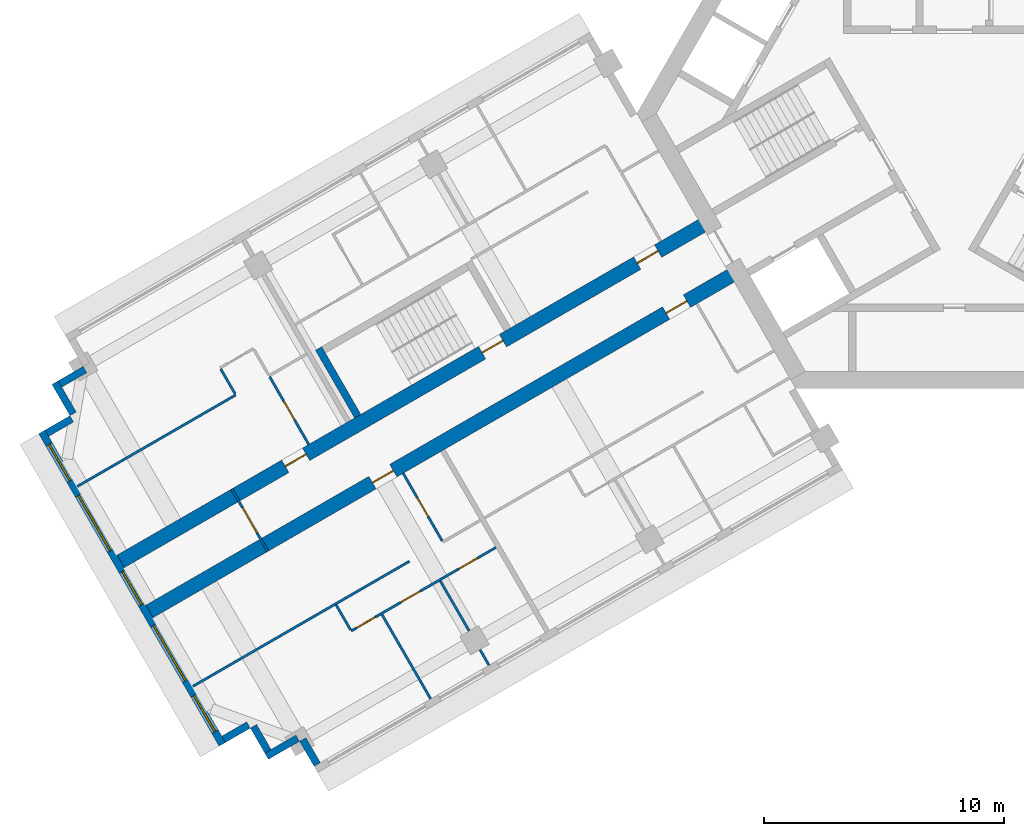
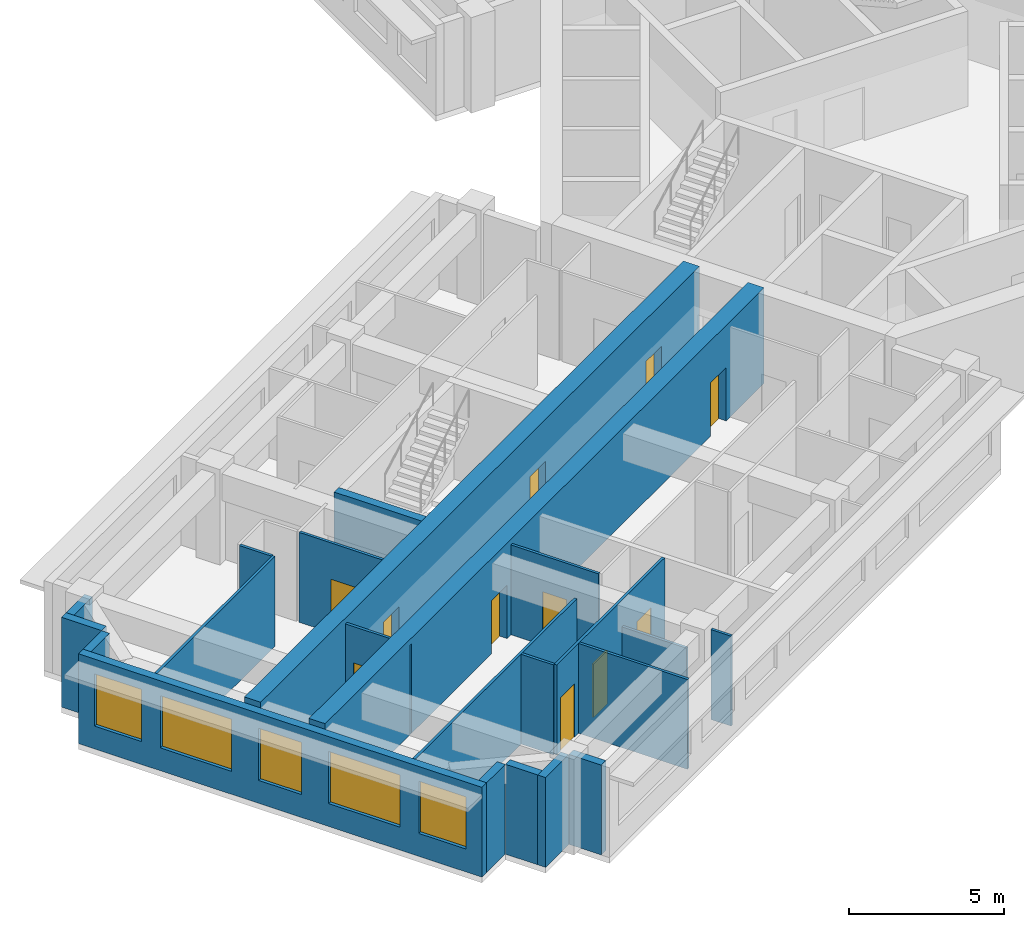
# One storey, part 2 of 11: 22 walls, 11 doors, 5 windows, 16 openings.
"""IFC4 building model written with IfcOpenShell, lengths in metres."""

from ifc_helpers import new_model, si_unit, direction, frame, frame_2d, origin, place, context, subcontext, project, spatial, rectangle, extrude, material, layer, layer_set, type_object, element, fill, save


model = new_model("IFC4")

# Units and contexts
model_context = context("Model", 3, precision=1e-05, world=origin(), true_north=direction((0.0, 1.0)))
body_context = subcontext(model_context, "Body", "Model", "MODEL_VIEW")
ifc_project = project(units=[si_unit("LENGTHUNIT", "METRE"), si_unit("AREAUNIT", "SQUARE_METRE"), si_unit("VOLUMEUNIT", "CUBIC_METRE"), si_unit("PLANEANGLEUNIT", "RADIAN"), si_unit("MASSUNIT", "GRAM", prefix="KILO")], contexts=[model_context])

# Site, building, storey
site_placement = place(None, origin())
site = spatial("IfcSite", under=ifc_project, at=site_placement, CompositionType="ELEMENT")
building_placement = place(site_placement, origin())
building = spatial("IfcBuilding", under=site, at=building_placement, Name="Impinga Residences", CompositionType="ELEMENT")
storey_placement = place(building_placement, frame((0.0, 0.0, 203.5)))
storey = spatial("IfcBuildingStorey", under=building, at=storey_placement, Name="L50", CompositionType="ELEMENT", Elevation=203.5)

# Wall, openings, doors
ifc_material_1 = material(Name="Concrete C60/75", Category="concrete")
ifc_layer_1 = layer(ifc_material_1, 0.60009765625)
ifc_layer_set_1 = layer_set([ifc_layer_1], Name="Concrete C60/75")
wall_type_1 = type_object("IfcWallType", Name="BW3 corridor buttress wall, L46 to L73 600", PredefinedType="SHEAR", material=ifc_layer_set_1)
wall_1_placement = place(storey_placement, frame((-8.996826171875, -6.580078125, 0.0), z_axis=(0.0, 0.0, 1.0), x_axis=(-0.866026415941, -0.499998246889, 0.0)))
wall_1 = element("IfcWall", 1, at=wall_1_placement, inside=storey, type_object=wall_type_1, Name="Corridor wall BW3 WC L50", PredefinedType="SHEAR", context=body_context, shape_type="SweptSolid", body=[
    extrude(rectangle(XDim=28.25, YDim=0.60009765625, at=frame_2d((14.125, 0.0))), origin(), (0.0, 0.0, 1.0), 3.75),
])
opening_1_placement = place(wall_1_placement, frame((2.449951171875, 0.0, 0.0)))
opening_1 = element("IfcOpeningElement", 2, at=opening_1_placement, cuts=wall_1, Name="Opening D1", PredefinedType="OPENING", context=body_context, shape_type="SweptSolid", body=[
    extrude(rectangle(XDim=1.0, YDim=2.10009765625, at=frame_2d((0.5, 1.050048828125))), frame((0.0, 0.31005859375, 0.0), z_axis=(0.0, -1.0, 0.0), x_axis=(1.0, 0.0, 0.0)), (0.0, 0.0, 1.0), 0.6201171875),
])
opening_2_placement = place(wall_1_placement, frame((16.550048828125, 0.0, 0.0)))
opening_2 = element("IfcOpeningElement", 3, at=opening_2_placement, cuts=wall_1, Name="Opening D1", PredefinedType="OPENING", context=body_context, shape_type="SweptSolid", body=[
    extrude(rectangle(XDim=1.0, YDim=2.10009765625, at=frame_2d((0.5, 1.050048828125))), frame((0.0, 0.31005859375, 0.0), z_axis=(0.0, -1.0, 0.0), x_axis=(1.0, 0.0, 0.0)), (0.0, 0.0, 1.0), 0.6201171875),
])
ifc_material_2 = material(Name="Timber door set", Category="wood")
door_type_1 = type_object("IfcDoorType", Name="D1 apartment entrance door 1000x2100", OperationType="SINGLE_SWING_LEFT", PredefinedType="DOOR", material=ifc_material_2)
door_1_placement = place(opening_1_placement, origin())
door_1 = element("IfcDoor", 4, at=door_1_placement, inside=storey, type_object=door_type_1, Name="Apartment L50-WA1 entrance", OperationType="SINGLE_SWING_LEFT", OverallHeight=2.10009765625, OverallWidth=1.0, PredefinedType="DOOR", context=body_context, shape_type="SweptSolid", body=[
    extrude(rectangle(XDim=1.0, YDim=2.10009765625, at=frame_2d((0.5, 1.050048828125))), frame((0.0, 0.02490234375, 0.0), z_axis=(0.0, -1.0, 0.0), x_axis=(1.0, 0.0, 0.0)), (0.0, 0.0, 1.0), 0.050048828125),
])
fill(opening_1, door_1)
door_2_placement = place(opening_2_placement, origin())
door_2 = element("IfcDoor", 5, at=door_2_placement, inside=storey, type_object=door_type_1, Name="Apartment L50-WA2 entrance", OperationType="SINGLE_SWING_RIGHT", OverallHeight=2.10009765625, OverallWidth=1.0, PredefinedType="DOOR", context=body_context, shape_type="SweptSolid", body=[
    extrude(rectangle(XDim=1.0, YDim=2.10009765625, at=frame_2d((0.5, 1.050048828125))), frame((0.0, 0.02490234375, 0.0), z_axis=(0.0, -1.0, 0.0), x_axis=(1.0, 0.0, 0.0)), (0.0, 0.0, 1.0), 0.050048828125),
])
fill(opening_2, door_2)

wall_2_placement = place(storey_placement, frame((-10.19677734375, -4.50146484375, 0.0), z_axis=(0.0, 0.0, 1.0), x_axis=(-0.866026415941, -0.499998246889, 0.0)))
wall_2 = element("IfcWall", 6, at=wall_2_placement, inside=storey, type_object=wall_type_1, Name="Corridor wall BW3 WD L50", PredefinedType="SHEAR", context=body_context, shape_type="SweptSolid", body=[
    extrude(rectangle(XDim=28.25, YDim=0.60009765625, at=frame_2d((14.125, 0.0))), origin(), (0.0, 0.0, 1.0), 3.75),
])
opening_3_placement = place(wall_2_placement, frame((9.89990234375, 0.0, 0.0)))
opening_3 = element("IfcOpeningElement", 7, at=opening_3_placement, cuts=wall_2, Name="Opening D5", PredefinedType="OPENING", context=body_context, shape_type="SweptSolid", body=[
    extrude(rectangle(XDim=1.0, YDim=2.10009765625, at=frame_2d((0.5, 1.050048828125))), frame((0.0, 0.31005859375, 0.0), z_axis=(0.0, -1.0, 0.0), x_axis=(1.0, 0.0, 0.0)), (0.0, 0.0, 1.0), 0.6201171875),
])
opening_4_placement = place(wall_2_placement, frame((2.449951171875, 0.0, 0.0)))
opening_4 = element("IfcOpeningElement", 8, at=opening_4_placement, cuts=wall_2, Name="Opening D1", PredefinedType="OPENING", context=body_context, shape_type="SweptSolid", body=[
    extrude(rectangle(XDim=1.0, YDim=2.10009765625, at=frame_2d((0.5, 1.050048828125))), frame((0.0, 0.31005859375, 0.0), z_axis=(0.0, -1.0, 0.0), x_axis=(1.0, 0.0, 0.0)), (0.0, 0.0, 1.0), 0.6201171875),
])
opening_5_placement = place(wall_2_placement, frame((19.35009765625, 0.0, 0.0)))
opening_5 = element("IfcOpeningElement", 9, at=opening_5_placement, cuts=wall_2, Name="Opening D1", PredefinedType="OPENING", context=body_context, shape_type="SweptSolid", body=[
    extrude(rectangle(XDim=1.0, YDim=2.10009765625, at=frame_2d((0.5, 1.050048828125))), frame((0.0, 0.31005859375, 0.0), z_axis=(0.0, -1.0, 0.0), x_axis=(1.0, 0.0, 0.0)), (0.0, 0.0, 1.0), 0.6201171875),
])
door_3_placement = place(opening_4_placement, origin())
door_3 = element("IfcDoor", 10, at=door_3_placement, inside=storey, type_object=door_type_1, Name="Apartment L50-WF1 entrance", OperationType="SINGLE_SWING_LEFT", OverallHeight=2.10009765625, OverallWidth=1.0, PredefinedType="DOOR", context=body_context, shape_type="SweptSolid", body=[
    extrude(rectangle(XDim=1.0, YDim=2.10009765625, at=frame_2d((0.5, 1.050048828125))), frame((0.0, 0.02490234375, 0.0), z_axis=(0.0, -1.0, 0.0), x_axis=(1.0, 0.0, 0.0)), (0.0, 0.0, 1.0), 0.050048828125),
])
fill(opening_4, door_3)
door_4_placement = place(opening_5_placement, origin())
door_4 = element("IfcDoor", 11, at=door_4_placement, inside=storey, type_object=door_type_1, Name="Apartment L50-WF2 entrance", OperationType="SINGLE_SWING_RIGHT", OverallHeight=2.10009765625, OverallWidth=1.0, PredefinedType="DOOR", context=body_context, shape_type="SweptSolid", body=[
    extrude(rectangle(XDim=1.0, YDim=2.10009765625, at=frame_2d((0.5, 1.050048828125))), frame((0.0, 0.02490234375, 0.0), z_axis=(0.0, -1.0, 0.0), x_axis=(1.0, 0.0, 0.0)), (0.0, 0.0, 1.0), 0.050048828125),
])
fill(opening_5, door_4)
door_type_2 = type_object("IfcDoorType", Name="D5 stair door 1000x2100", OperationType="SINGLE_SWING_LEFT", PredefinedType="DOOR", material=ifc_material_2)
door_5_placement = place(opening_3_placement, origin())
door_5 = element("IfcDoor", 12, at=door_5_placement, inside=storey, type_object=door_type_2, Name="Wing stair door W", OperationType="SINGLE_SWING_LEFT", OverallHeight=2.10009765625, OverallWidth=1.0, PredefinedType="DOOR", context=body_context, shape_type="SweptSolid", body=[
    extrude(rectangle(XDim=1.0, YDim=2.10009765625, at=frame_2d((0.5, 1.050048828125))), frame((0.0, 0.02490234375, 0.0), z_axis=(0.0, -1.0, 0.0), x_axis=(1.0, 0.0, 0.0)), (0.0, 0.0, 1.0), 0.050048828125),
])
fill(opening_3, door_5)

# Wall, opening, door
ifc_material_3 = material(Name="Concrete blockwork", Category="masonry")
ifc_layer_2 = layer(ifc_material_3, 0.10009765625)
ifc_layer_set_2 = layer_set([ifc_layer_2], Name="CP1 core room partition, blockwork 100")
wall_type_2 = type_object("IfcWallType", Name="CP1 core room partition, blockwork 100", PredefinedType="PARTITIONING", material=ifc_layer_set_2)
wall_3_placement = place(storey_placement, frame((-28.549072265625, -18.21484375, 0.0), z_axis=(0.0, 0.0, 1.0), x_axis=(-0.499990139034, 0.866031096941, 0.0)))
wall_3 = element("IfcWall", 13, at=wall_3_placement, inside=storey, type_object=wall_type_2, Name="Core room partition, blockwork L50:W:LNG", PredefinedType="PARTITIONING", context=body_context, shape_type="SweptSolid", body=[
    extrude(rectangle(XDim=3.0, YDim=0.10009765625, at=frame_2d((1.5, 0.0))), origin(), (0.0, 0.0, 1.0), 3.530029296875),
])
opening_6_placement = place(wall_3_placement, frame((0.89990234375, 0.0, 0.0)))
opening_6 = element("IfcOpeningElement", 14, at=opening_6_placement, cuts=wall_3, Name="Opening D3", PredefinedType="OPENING", context=body_context, shape_type="SweptSolid", body=[
    extrude(rectangle(XDim=1.199951171875, YDim=2.10009765625, at=frame_2d((0.60009765625, 1.050048828125))), frame((0.0, 0.06005859375, 0.0), z_axis=(0.0, -1.0, 0.0), x_axis=(1.0, 0.0, 0.0)), (0.0, 0.0, 1.0), 0.1201171875),
])
door_type_3 = type_object("IfcDoorType", Name="D3 room door, leaf and a half 1200x2100", OperationType="DOUBLE_SWING_LEFT", PredefinedType="DOOR", material=ifc_material_2)
door_6_placement = place(opening_6_placement, origin())
door_6 = element("IfcDoor", 15, at=door_6_placement, inside=storey, type_object=door_type_3, Name="Residents' lounge door W", OperationType="DOUBLE_SWING_LEFT", OverallHeight=2.10009765625, OverallWidth=1.199951171875, PredefinedType="DOOR", context=body_context, shape_type="SweptSolid", body=[
    extrude(rectangle(XDim=1.199951171875, YDim=2.10009765625, at=frame_2d((0.60009765625, 1.050048828125))), frame((0.0, 0.02490234375, 0.0), z_axis=(0.0, -1.0, 0.0), x_axis=(1.0, 0.0, 0.0)), (0.0, 0.0, 1.0), 0.050048828125),
])
fill(opening_6, door_6)

# Walls
ifc_material_4 = material(Name="Terracotta rainscreen on blockwork", Category="masonry")
ifc_layer_3 = layer(ifc_material_4, 0.300048828125)
ifc_layer_set_3 = layer_set([ifc_layer_3], Name="EW1 external wall, terracotta rainscreen on blockwork 300")
wall_type_3 = type_object("IfcWallType", Name="EW1 external wall, terracotta rainscreen on blockwork 300", PredefinedType="SOLIDWALL", material=ifc_layer_set_3)
wall_4_placement = place(storey_placement, frame((-26.493896484375, -27.07421875, 0.0), z_axis=(0.0, 0.0, 1.0), x_axis=(-0.500033551112, 0.866006032174, 0.0)))
element("IfcWall", 16, at=wall_4_placement, inside=storey, type_object=wall_type_3, Name="External wall EW1 L50", PredefinedType="SOLIDWALL", context=body_context, shape_type="SweptSolid", body=[
    extrude(rectangle(XDim=1.2001953125, YDim=0.300048828125, at=frame_2d((0.60009765625, 0.0))), origin(), (0.0, 0.0, 1.0), 3.530029296875),
])
wall_5_placement = place(storey_placement, frame((-27.30322265625, -25.982666015625, 0.0), z_axis=(0.0, 0.0, 1.0), x_axis=(-0.866074087889, -0.499915667175, 0.0)))
element("IfcWall", 17, at=wall_5_placement, inside=storey, type_object=wall_type_3, Name="External wall EW1 L50", PredefinedType="SOLIDWALL", context=body_context, shape_type="SweptSolid", body=[
    extrude(rectangle(XDim=1.494873046875, YDim=0.300048828125, at=frame_2d((0.74755859375, 0.0))), origin(), (0.0, 0.0, 1.0), 3.530029296875),
])
wall_6_placement = place(storey_placement, frame((-28.54296875, -26.525146484375, 0.0), z_axis=(0.0, 0.0, 1.0), x_axis=(-0.500033551112, 0.866006032174, 0.0)))
element("IfcWall", 18, at=wall_6_placement, inside=storey, type_object=wall_type_3, Name="External wall EW1 L50", PredefinedType="SOLIDWALL", context=body_context, shape_type="SweptSolid", body=[
    extrude(rectangle(XDim=1.2001953125, YDim=0.300048828125, at=frame_2d((0.60009765625, 0.0))), origin(), (0.0, 0.0, 1.0), 3.530029296875),
])
wall_7_placement = place(storey_placement, frame((-29.352294921875, -25.43359375, 0.0), z_axis=(0.0, 0.0, 1.0), x_axis=(-0.866059708757, -0.499940577336, 0.0)))
element("IfcWall", 19, at=wall_7_placement, inside=storey, type_object=wall_type_3, Name="External wall EW1 L50", PredefinedType="SOLIDWALL", context=body_context, shape_type="SweptSolid", body=[
    extrude(rectangle(XDim=1.195068359375, YDim=0.300048828125, at=frame_2d((0.59765625, 0.0))), origin(), (0.0, 0.0, 1.0), 3.530029296875),
])

# Wall, openings, windows
wall_8_placement = place(storey_placement, frame((-30.44189453125, -26.23583984375, 0.0), z_axis=(0.0, 0.0, 1.0), x_axis=(-0.500004234368, 0.866022959057, 0.0)))
wall_8 = element("IfcWall", 20, at=wall_8_placement, inside=storey, type_object=wall_type_3, Name="External wall EW1 L50", PredefinedType="SOLIDWALL", context=body_context, shape_type="SweptSolid", body=[
    extrude(rectangle(XDim=14.999755859375, YDim=0.300048828125, at=frame_2d((7.5, 0.0))), origin(), (0.0, 0.0, 1.0), 3.530029296875),
])
opening_7_placement = place(wall_8_placement, frame((0.60009765625, 0.0, 0.89990234375)))
opening_7 = element("IfcOpeningElement", 21, at=opening_7_placement, cuts=wall_8, Name="Opening W1", PredefinedType="OPENING", context=body_context, shape_type="SweptSolid", body=[
    extrude(rectangle(XDim=1.75, YDim=2.050048828125, at=frame_2d((0.875, 1.02490234375))), frame((0.0, 0.159912109375, 0.0), z_axis=(0.0, -1.0, 0.0), x_axis=(1.0, 0.0, 0.0)), (0.0, 0.0, 1.0), 0.320068359375),
])
opening_8_placement = place(wall_8_placement, frame((3.050048828125, 0.0, 0.89990234375)))
opening_8 = element("IfcOpeningElement", 22, at=opening_8_placement, cuts=wall_8, Name="Opening W18", PredefinedType="OPENING", context=body_context, shape_type="SweptSolid", body=[
    extrude(rectangle(XDim=2.64990234375, YDim=2.050048828125, at=frame_2d((1.324951171875, 1.02490234375))), frame((0.0, 0.159912109375, 0.0), z_axis=(0.0, -1.0, 0.0), x_axis=(1.0, 0.0, 0.0)), (0.0, 0.0, 1.0), 0.320068359375),
])
opening_9_placement = place(wall_8_placement, frame((6.699951171875, 0.0, 0.89990234375)))
opening_9 = element("IfcOpeningElement", 23, at=opening_9_placement, cuts=wall_8, Name="Opening W19", PredefinedType="OPENING", context=body_context, shape_type="SweptSolid", body=[
    extrude(rectangle(XDim=1.60009765625, YDim=2.050048828125, at=frame_2d((0.800048828125, 1.02490234375))), frame((0.0, 0.159912109375, 0.0), z_axis=(0.0, -1.0, 0.0), x_axis=(1.0, 0.0, 0.0)), (0.0, 0.0, 1.0), 0.320068359375),
])
opening_10_placement = place(wall_8_placement, frame((9.300048828125, 0.0, 0.89990234375)))
opening_10 = element("IfcOpeningElement", 24, at=opening_10_placement, cuts=wall_8, Name="Opening W18", PredefinedType="OPENING", context=body_context, shape_type="SweptSolid", body=[
    extrude(rectangle(XDim=2.64990234375, YDim=2.050048828125, at=frame_2d((1.324951171875, 1.02490234375))), frame((0.0, 0.159912109375, 0.0), z_axis=(0.0, -1.0, 0.0), x_axis=(1.0, 0.0, 0.0)), (0.0, 0.0, 1.0), 0.320068359375),
])
opening_11_placement = place(wall_8_placement, frame((12.64990234375, 0.0, 0.89990234375)))
opening_11 = element("IfcOpeningElement", 25, at=opening_11_placement, cuts=wall_8, Name="Opening W1", PredefinedType="OPENING", context=body_context, shape_type="SweptSolid", body=[
    extrude(rectangle(XDim=1.75, YDim=2.050048828125, at=frame_2d((0.875, 1.02490234375))), frame((0.0, 0.159912109375, 0.0), z_axis=(0.0, -1.0, 0.0), x_axis=(1.0, 0.0, 0.0)), (0.0, 0.0, 1.0), 0.320068359375),
])
ifc_material_5 = material(Name="Aluminium window, clear double glazing", Category="aluminium")
window_type_1 = type_object("IfcWindowType", Name="W1 ribbon window 1750x2050", PartitioningType="SINGLE_PANEL", PredefinedType="WINDOW", material=ifc_material_5)
window_1_placement = place(opening_7_placement, origin())
window_1 = element("IfcWindow", 26, at=window_1_placement, inside=storey, type_object=window_type_1, Name="Window L50", OverallHeight=2.050048828125, OverallWidth=1.75, PartitioningType="SINGLE_PANEL", PredefinedType="WINDOW", context=body_context, shape_type="SweptSolid", body=[
    extrude(rectangle(XDim=1.75, YDim=2.050048828125, at=frame_2d((0.875, 1.02490234375))), frame((0.0, 0.030029296875, 0.0), z_axis=(0.0, -1.0, 0.0), x_axis=(1.0, 0.0, 0.0)), (0.0, 0.0, 1.0), 0.06005859375),
])
fill(opening_7, window_1)
window_2_placement = place(opening_11_placement, origin())
window_2 = element("IfcWindow", 27, at=window_2_placement, inside=storey, type_object=window_type_1, Name="Window L50", OverallHeight=2.050048828125, OverallWidth=1.75, PartitioningType="SINGLE_PANEL", PredefinedType="WINDOW", context=body_context, shape_type="SweptSolid", body=[
    extrude(rectangle(XDim=1.75, YDim=2.050048828125, at=frame_2d((0.875, 1.02490234375))), frame((0.0, 0.030029296875, 0.0), z_axis=(0.0, -1.0, 0.0), x_axis=(1.0, 0.0, 0.0)), (0.0, 0.0, 1.0), 0.06005859375),
])
fill(opening_11, window_2)
window_type_2 = type_object("IfcWindowType", Name="W18 ribbon window 2650x2050", PartitioningType="SINGLE_PANEL", PredefinedType="WINDOW", material=ifc_material_5)
window_3_placement = place(opening_8_placement, origin())
window_3 = element("IfcWindow", 28, at=window_3_placement, inside=storey, type_object=window_type_2, Name="Window L50", OverallHeight=2.050048828125, OverallWidth=2.64990234375, PartitioningType="SINGLE_PANEL", PredefinedType="WINDOW", context=body_context, shape_type="SweptSolid", body=[
    extrude(rectangle(XDim=2.64990234375, YDim=2.050048828125, at=frame_2d((1.324951171875, 1.02490234375))), frame((0.0, 0.030029296875, 0.0), z_axis=(0.0, -1.0, 0.0), x_axis=(1.0, 0.0, 0.0)), (0.0, 0.0, 1.0), 0.06005859375),
])
fill(opening_8, window_3)
window_4_placement = place(opening_10_placement, origin())
window_4 = element("IfcWindow", 29, at=window_4_placement, inside=storey, type_object=window_type_2, Name="Window L50", OverallHeight=2.050048828125, OverallWidth=2.64990234375, PartitioningType="SINGLE_PANEL", PredefinedType="WINDOW", context=body_context, shape_type="SweptSolid", body=[
    extrude(rectangle(XDim=2.64990234375, YDim=2.050048828125, at=frame_2d((1.324951171875, 1.02490234375))), frame((0.0, 0.030029296875, 0.0), z_axis=(0.0, -1.0, 0.0), x_axis=(1.0, 0.0, 0.0)), (0.0, 0.0, 1.0), 0.06005859375),
])
fill(opening_10, window_4)
window_type_3 = type_object("IfcWindowType", Name="W19 ribbon window 1600x2050", PartitioningType="SINGLE_PANEL", PredefinedType="WINDOW", material=ifc_material_5)
window_5_placement = place(opening_9_placement, origin())
window_5 = element("IfcWindow", 30, at=window_5_placement, inside=storey, type_object=window_type_3, Name="Window L50", OverallHeight=2.050048828125, OverallWidth=1.60009765625, PartitioningType="SINGLE_PANEL", PredefinedType="WINDOW", context=body_context, shape_type="SweptSolid", body=[
    extrude(rectangle(XDim=1.60009765625, YDim=2.050048828125, at=frame_2d((0.800048828125, 1.02490234375))), frame((0.0, 0.030029296875, 0.0), z_axis=(0.0, -1.0, 0.0), x_axis=(1.0, 0.0, 0.0)), (0.0, 0.0, 1.0), 0.06005859375),
])
fill(opening_9, window_5)

# Walls
wall_9_placement = place(storey_placement, frame((-37.737060546875, -13.300537109375, 0.0), z_axis=(0.0, 0.0, 1.0), x_axis=(0.865971243484, 0.500093796661, 0.0)))
element("IfcWall", 31, at=wall_9_placement, inside=storey, type_object=wall_type_3, Name="External wall EW1 L50", PredefinedType="SOLIDWALL", context=body_context, shape_type="SweptSolid", body=[
    extrude(rectangle(XDim=1.195068359375, YDim=0.300048828125, at=frame_2d((0.59765625, 0.0))), origin(), (0.0, 0.0, 1.0), 3.530029296875),
])
wall_10_placement = place(storey_placement, frame((-36.64306640625, -12.49560546875, 0.0), z_axis=(0.0, 0.0, 1.0), x_axis=(-0.499990139034, 0.866031096941, 0.0)))
element("IfcWall", 32, at=wall_10_placement, inside=storey, type_object=wall_type_3, Name="External wall EW1 L50", PredefinedType="SOLIDWALL", context=body_context, shape_type="SweptSolid", body=[
    extrude(rectangle(XDim=1.5, YDim=0.300048828125, at=frame_2d((0.75, 0.0))), origin(), (0.0, 0.0, 1.0), 3.530029296875),
])
wall_11_placement = place(storey_placement, frame((-37.18798828125, -11.25146484375, 0.0), z_axis=(0.0, 0.0, 1.0), x_axis=(0.866059708757, 0.499940577336, 0.0)))
element("IfcWall", 33, at=wall_11_placement, inside=storey, type_object=wall_type_3, Name="External wall EW1 L50", PredefinedType="SOLIDWALL", context=body_context, shape_type="SweptSolid", body=[
    extrude(rectangle(XDim=1.195068359375, YDim=0.300048828125, at=frame_2d((0.59765625, 0.0))), origin(), (0.0, 0.0, 1.0), 3.530029296875),
])
ifc_material_6 = material(Name="Gypsum board on steel studs", Category="steel")
ifc_layer_4 = layer(ifc_material_6, 0.10009765625)
ifc_layer_set_4 = layer_set([ifc_layer_4], Name="Gypsum board on steel studs")
wall_type_4 = type_object("IfcWallType", Name="IP1 partition 100", PredefinedType="PARTITIONING", material=ifc_layer_set_4)
wall_12_placement = place(storey_placement, frame((-22.655517578125, -18.622802734375, 0.0), z_axis=(0.0, 0.0, 1.0), x_axis=(-0.866025696342, -0.499999493275, 0.0)))
element("IfcWall", 34, at=wall_12_placement, inside=storey, type_object=wall_type_4, Name="Partition L50-WA2:DIV1", PredefinedType="PARTITIONING", context=body_context, shape_type="SweptSolid", body=[
    extrude(rectangle(XDim=10.39990234375, YDim=0.10009765625, at=frame_2d((5.199951171875, 0.0))), origin(), (0.0, 0.0, 1.0), 3.530029296875),
])

# Wall, openings, doors
wall_13_placement = place(storey_placement, frame((-19.06103515625, -18.048583984375, 0.0), z_axis=(0.0, 0.0, 1.0), x_axis=(-0.866031734426, -0.499989034847, 0.0)))
wall_13 = element("IfcWall", 35, at=wall_13_placement, inside=storey, type_object=wall_type_4, Name="Partition L50-WA2:STRIP", PredefinedType="PARTITIONING", context=body_context, shape_type="SweptSolid", body=[
    extrude(rectangle(XDim=6.949951171875, YDim=0.10009765625, at=frame_2d((3.47509765625, 0.0))), origin(), (0.0, 0.0, 1.0), 3.530029296875),
])
opening_12_placement = place(wall_13_placement, frame((0.875, 0.0, 0.0)))
opening_12 = element("IfcOpeningElement", 36, at=opening_12_placement, cuts=wall_13, Name="Opening D2", PredefinedType="OPENING", context=body_context, shape_type="SweptSolid", body=[
    extrude(rectangle(XDim=0.89990234375, YDim=2.10009765625, at=frame_2d((0.449951171875, 1.050048828125))), frame((0.0, 0.06005859375, 0.0), z_axis=(0.0, -1.0, 0.0), x_axis=(1.0, 0.0, 0.0)), (0.0, 0.0, 1.0), 0.1201171875),
])
opening_13_placement = place(wall_13_placement, frame((3.64990234375, 0.0, 0.0)))
opening_13 = element("IfcOpeningElement", 37, at=opening_13_placement, cuts=wall_13, Name="Opening D2", PredefinedType="OPENING", context=body_context, shape_type="SweptSolid", body=[
    extrude(rectangle(XDim=0.89990234375, YDim=2.10009765625, at=frame_2d((0.449951171875, 1.050048828125))), frame((0.0, 0.06005859375, 0.0), z_axis=(0.0, -1.0, 0.0), x_axis=(1.0, 0.0, 0.0)), (0.0, 0.0, 1.0), 0.1201171875),
])
opening_14_placement = place(wall_13_placement, frame((5.800048828125, 0.0, 0.0)))
opening_14 = element("IfcOpeningElement", 38, at=opening_14_placement, cuts=wall_13, Name="Opening D2", PredefinedType="OPENING", context=body_context, shape_type="SweptSolid", body=[
    extrude(rectangle(XDim=0.89990234375, YDim=2.10009765625, at=frame_2d((0.449951171875, 1.050048828125))), frame((0.0, 0.06005859375, 0.0), z_axis=(0.0, -1.0, 0.0), x_axis=(1.0, 0.0, 0.0)), (0.0, 0.0, 1.0), 0.1201171875),
])
door_type_4 = type_object("IfcDoorType", Name="D2 internal door 900x2100", OperationType="SINGLE_SWING_LEFT", PredefinedType="DOOR", material=ifc_material_2)
door_7_placement = place(opening_12_placement, origin())
door_7 = element("IfcDoor", 39, at=door_7_placement, inside=storey, type_object=door_type_4, Name="Apartment L50-WA2 room door", OperationType="SINGLE_SWING_LEFT", OverallHeight=2.10009765625, OverallWidth=0.89990234375, PredefinedType="DOOR", context=body_context, shape_type="SweptSolid", body=[
    extrude(rectangle(XDim=0.89990234375, YDim=2.10009765625, at=frame_2d((0.449951171875, 1.050048828125))), frame((0.0, 0.02490234375, 0.0), z_axis=(0.0, -1.0, 0.0), x_axis=(1.0, 0.0, 0.0)), (0.0, 0.0, 1.0), 0.050048828125),
])
fill(opening_12, door_7)
door_8_placement = place(opening_13_placement, origin())
door_8 = element("IfcDoor", 40, at=door_8_placement, inside=storey, type_object=door_type_4, Name="Apartment L50-WA2 room door", OperationType="SINGLE_SWING_RIGHT", OverallHeight=2.10009765625, OverallWidth=0.89990234375, PredefinedType="DOOR", context=body_context, shape_type="SweptSolid", body=[
    extrude(rectangle(XDim=0.89990234375, YDim=2.10009765625, at=frame_2d((0.449951171875, 1.050048828125))), frame((0.0, 0.02490234375, 0.0), z_axis=(0.0, -1.0, 0.0), x_axis=(1.0, 0.0, 0.0)), (0.0, 0.0, 1.0), 0.050048828125),
])
fill(opening_13, door_8)
door_9_placement = place(opening_14_placement, origin())
door_9 = element("IfcDoor", 41, at=door_9_placement, inside=storey, type_object=door_type_4, Name="Apartment L50-WA2 room door", OperationType="SINGLE_SWING_RIGHT", OverallHeight=2.10009765625, OverallWidth=0.89990234375, PredefinedType="DOOR", context=body_context, shape_type="SweptSolid", body=[
    extrude(rectangle(XDim=0.89990234375, YDim=2.10009765625, at=frame_2d((0.449951171875, 1.050048828125))), frame((0.0, 0.02490234375, 0.0), z_axis=(0.0, -1.0, 0.0), x_axis=(1.0, 0.0, 0.0)), (0.0, 0.0, 1.0), 0.050048828125),
])
fill(opening_14, door_9)

# Wall
wall_14_placement = place(storey_placement, frame((-25.704833984375, -20.44091796875, 0.0), z_axis=(0.0, 0.0, 1.0), x_axis=(0.500033551112, -0.866006032174, 0.0)))
element("IfcWall", 42, at=wall_14_placement, inside=storey, type_object=wall_type_4, Name="Partition L50-WA2:SE1", PredefinedType="PARTITIONING", context=body_context, shape_type="SweptSolid", body=[
    extrude(rectangle(XDim=1.2001953125, YDim=0.10009765625, at=frame_2d((0.60009765625, 0.0))), origin(), (0.0, 0.0, 1.0), 3.530029296875),
])

# Wall, opening, door
wall_15_placement = place(storey_placement, frame((-22.919921875, -14.96484375, 0.0), z_axis=(0.0, 0.0, 1.0), x_axis=(0.500017246033, -0.866015446554, 0.0)))
wall_15 = element("IfcWall", 43, at=wall_15_placement, inside=storey, type_object=wall_type_4, Name="Partition L50-WA2:IB1", PredefinedType="PARTITIONING", context=body_context, shape_type="SweptSolid", body=[
    extrude(rectangle(XDim=3.25, YDim=0.10009765625, at=frame_2d((1.625, 0.0))), origin(), (0.0, 0.0, 1.0), 3.530029296875),
])
opening_15_placement = place(wall_15_placement, frame((1.175048828125, 0.0, 0.0)))
opening_15 = element("IfcOpeningElement", 44, at=opening_15_placement, cuts=wall_15, Name="Opening D2", PredefinedType="OPENING", context=body_context, shape_type="SweptSolid", body=[
    extrude(rectangle(XDim=0.89990234375, YDim=2.10009765625, at=frame_2d((0.449951171875, 1.050048828125))), frame((0.0, 0.06005859375, 0.0), z_axis=(0.0, -1.0, 0.0), x_axis=(1.0, 0.0, 0.0)), (0.0, 0.0, 1.0), 0.1201171875),
])
door_10_placement = place(opening_15_placement, origin())
door_10 = element("IfcDoor", 45, at=door_10_placement, inside=storey, type_object=door_type_4, Name="Apartment L50-WA2 bathroom door", OperationType="SINGLE_SWING_LEFT", OverallHeight=2.10009765625, OverallWidth=0.89990234375, PredefinedType="DOOR", context=body_context, shape_type="SweptSolid", body=[
    extrude(rectangle(XDim=0.89990234375, YDim=2.10009765625, at=frame_2d((0.449951171875, 1.050048828125))), frame((0.0, 0.02490234375, 0.0), z_axis=(0.0, -1.0, 0.0), x_axis=(1.0, 0.0, 0.0)), (0.0, 0.0, 1.0), 0.050048828125),
])
fill(opening_15, door_10)

# Walls
wall_16_placement = place(storey_placement, frame((-21.374267578125, -19.44189453125, 0.0), z_axis=(0.0, 0.0, 1.0), x_axis=(0.500001309137, -0.866024647952, 0.0)))
element("IfcWall", 46, at=wall_16_placement, inside=storey, type_object=wall_type_4, Name="Partition L50-WA2:OB1", PredefinedType="PARTITIONING", context=body_context, shape_type="SweptSolid", body=[
    extrude(rectangle(XDim=2.39990234375, YDim=0.10009765625, at=frame_2d((1.199951171875, 0.0))), origin(), (0.0, 0.0, 1.0), 2.47998046875),
])
wall_17_placement = place(storey_placement, frame((-19.72412109375, -22.2998046875, 0.0), z_axis=(0.0, 0.0, 1.0), x_axis=(0.500060622324, -0.86599040064, 0.0)))
element("IfcWall", 47, at=wall_17_placement, inside=storey, type_object=wall_type_4, Name="Partition L50-WA2:OB1b", PredefinedType="PARTITIONING", context=body_context, shape_type="SweptSolid", body=[
    extrude(rectangle(XDim=0.75, YDim=0.10009765625, at=frame_2d((0.375, 0.0))), origin(), (0.0, 0.0, 1.0), 3.530029296875),
])
wall_18_placement = place(storey_placement, frame((-23.799072265625, -20.841796875, 0.0), z_axis=(0.0, 0.0, 1.0), x_axis=(0.499990325971, -0.866030989016, 0.0)))
element("IfcWall", 48, at=wall_18_placement, inside=storey, type_object=wall_type_4, Name="Partition L50-WA2:OB2", PredefinedType="PARTITIONING", context=body_context, shape_type="SweptSolid", body=[
    extrude(rectangle(XDim=4.0498046875, YDim=0.10009765625, at=frame_2d((2.02490234375, 0.0))), origin(), (0.0, 0.0, 1.0), 3.530029296875),
])
wall_19_placement = place(storey_placement, frame((-29.88037109375, -11.708740234375, 0.0), z_axis=(0.0, 0.0, 1.0), x_axis=(-0.866022425744, -0.500005158081, 0.0)))
element("IfcWall", 49, at=wall_19_placement, inside=storey, type_object=wall_type_4, Name="Partition L50-WF2:DIV1", PredefinedType="PARTITIONING", context=body_context, shape_type="SweptSolid", body=[
    extrude(rectangle(XDim=7.60009765625, YDim=0.10009765625, at=frame_2d((3.800048828125, 0.0))), origin(), (0.0, 0.0, 1.0), 3.530029296875),
])
wall_20_placement = place(storey_placement, frame((-29.9052734375, -11.66552734375, 0.0), z_axis=(0.0, 0.0, 1.0), x_axis=(-0.500033551112, 0.866006032174, 0.0)))
element("IfcWall", 50, at=wall_20_placement, inside=storey, type_object=wall_type_4, Name="Partition L50-WF2:SE1", PredefinedType="PARTITIONING", context=body_context, shape_type="SweptSolid", body=[
    extrude(rectangle(XDim=1.2001953125, YDim=0.10009765625, at=frame_2d((0.60009765625, 0.0))), origin(), (0.0, 0.0, 1.0), 3.530029296875),
])

# Wall, opening, door
wall_21_placement = place(storey_placement, frame((-26.8447265625, -13.766845703125, 0.0), z_axis=(0.0, 0.0, 1.0), x_axis=(-0.499984717929, 0.866034226713, 0.0)))
wall_21 = element("IfcWall", 51, at=wall_21_placement, inside=storey, type_object=wall_type_4, Name="Partition L50-WF2:IB1", PredefinedType="PARTITIONING", context=body_context, shape_type="SweptSolid", body=[
    extrude(rectangle(XDim=3.25, YDim=0.10009765625, at=frame_2d((1.625, 0.0))), origin(), (0.0, 0.0, 1.0), 3.530029296875),
])
opening_16_placement = place(wall_21_placement, frame((1.175048828125, 0.0, 0.0)))
opening_16 = element("IfcOpeningElement", 52, at=opening_16_placement, cuts=wall_21, Name="Opening D2", PredefinedType="OPENING", context=body_context, shape_type="SweptSolid", body=[
    extrude(rectangle(XDim=0.89990234375, YDim=2.10009765625, at=frame_2d((0.449951171875, 1.050048828125))), frame((0.0, 0.06005859375, 0.0), z_axis=(0.0, -1.0, 0.0), x_axis=(1.0, 0.0, 0.0)), (0.0, 0.0, 1.0), 0.1201171875),
])
door_11_placement = place(opening_16_placement, origin())
door_11 = element("IfcDoor", 53, at=door_11_placement, inside=storey, type_object=door_type_4, Name="Apartment L50-WF2 bathroom door", OperationType="SINGLE_SWING_LEFT", OverallHeight=2.10009765625, OverallWidth=0.89990234375, PredefinedType="DOOR", context=body_context, shape_type="SweptSolid", body=[
    extrude(rectangle(XDim=0.89990234375, YDim=2.10009765625, at=frame_2d((0.449951171875, 1.050048828125))), frame((0.0, 0.02490234375, 0.0), z_axis=(0.0, -1.0, 0.0), x_axis=(1.0, 0.0, 0.0)), (0.0, 0.0, 1.0), 0.050048828125),
])
fill(opening_16, door_11)

# Wall
ifc_layer_5 = layer(ifc_material_1, 0.300048828125)
ifc_layer_set_5 = layer_set([ifc_layer_5], Name="Concrete C60/75")
wall_type_5 = type_object("IfcWallType", Name="SE1 wing stair enclosure wall 300", PredefinedType="SOLIDWALL", material=ifc_layer_set_5)
wall_22_placement = place(storey_placement, frame((-24.8095703125, -12.591796875, 0.0), z_axis=(0.0, 0.0, 1.0), x_axis=(-0.499984717929, 0.866034226713, 0.0)))
element("IfcWall", 54, at=wall_22_placement, inside=storey, type_object=wall_type_5, Name="Stair enclosure wall SE1 W END1 L50", PredefinedType="SOLIDWALL", context=body_context, shape_type="SweptSolid", body=[
    extrude(rectangle(XDim=3.25, YDim=0.300048828125, at=frame_2d((1.625, 0.0))), origin(), (0.0, 0.0, 1.0), 3.75),
])

save(model, "model.ifc")
